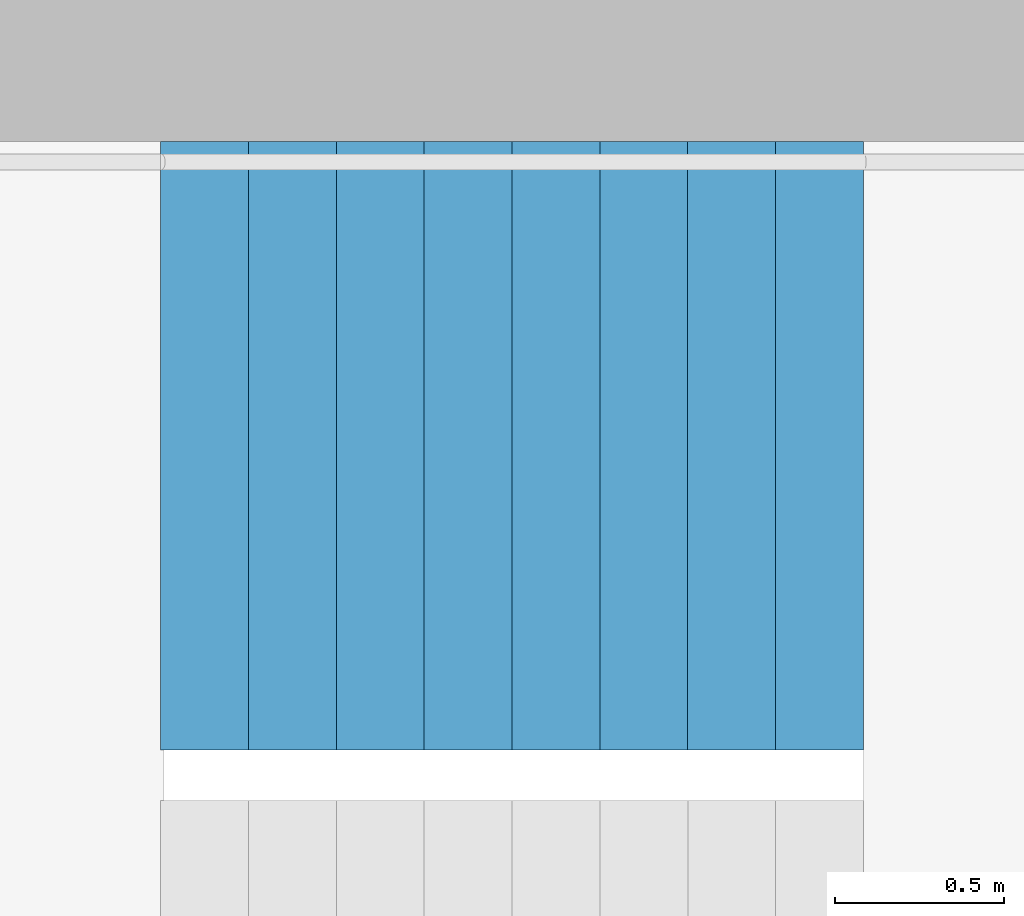
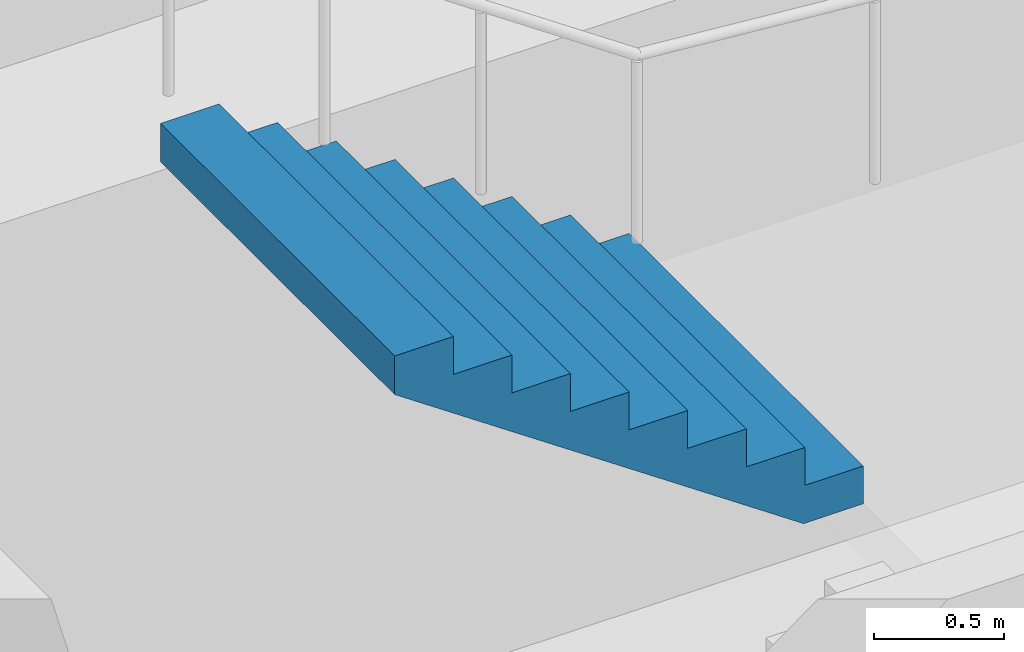
# One storey, part 24 of 29: 1 stair flight, 1 element without a shape of its own.
"""IFC4 building model written with IfcOpenShell, lengths in metres."""

from ifc_helpers import new_model, si_unit, direction, frame, origin, place, context, subcontext, project, spatial, triangles, material, type_object, element, aggregate, save


model = new_model("IFC4")

# Units and contexts
model_context = context("Model", 3, precision=1e-05, world=origin(), true_north=direction((0.0, 1.0)))
body_context = subcontext(model_context, "Body", "Model", "MODEL_VIEW")
ifc_project = project(units=[si_unit("LENGTHUNIT", "METRE"), si_unit("AREAUNIT", "SQUARE_METRE"), si_unit("VOLUMEUNIT", "CUBIC_METRE"), si_unit("PLANEANGLEUNIT", "RADIAN"), si_unit("MASSUNIT", "GRAM", prefix="KILO")], contexts=[model_context])

# Site, building, storey
site_placement = place(None, origin())
site = spatial("IfcSite", under=ifc_project, at=site_placement, CompositionType="ELEMENT")
building_placement = place(site_placement, origin())
building = spatial("IfcBuilding", under=site, at=building_placement, Name="Hakoniwa Tower and Hamabe Station Hall", CompositionType="ELEMENT")
storey_placement = place(building_placement, frame((0.0, 0.0, 55.0)))
storey = spatial("IfcBuildingStorey", under=building, at=storey_placement, Name="L15", CompositionType="ELEMENT", Elevation=55.0)

# Stair, stair flight
ifc_material_1 = material(Name="Concrete C40", Category="concrete")
stair_type = type_object("IfcStairType", Name="ESCAPE STAIR 1800", PredefinedType="HALF_TURN_STAIR", material=ifc_material_1)
stair_placement = place(storey_placement, origin())
stair = element("IfcStair", 1, at=stair_placement, inside=storey, type_object=stair_type, Name="Escape stair ST-1 L15", PredefinedType="HALF_TURN_STAIR")
ifc_material_2 = material(Name="Concrete C40", Category="concrete")
stair_flight_type = type_object("IfcStairFlightType", Name="STAIR FLIGHT 1800", PredefinedType="STRAIGHT", material=ifc_material_2)
stair_flight_placement = place(storey_placement, frame((-22.320068359375, 6.60009765625, 1.60009765625), z_axis=(0.0, 0.0, 1.0), x_axis=(-1.0, 0.0, 0.0)))
stair_flight = element("IfcStairFlight", 2, at=stair_flight_placement, type_object=stair_flight_type, Name="ST-1 flight 2", NumberOfRisers=9, NumberOfTreads=8, PredefinedType="STRAIGHT", RiserHeight=0.177777778, TreadLength=0.26, context=body_context, shape_type="Tessellation", body=[
    triangles([(0.0, 0.89990234375, 0.0), (0.260009765625, 0.89990234375, 0.0), (0.265625, 0.89990234375, 0.0), (0.52001953125, 0.89990234375, 0.174072265625), (0.780029296875, 0.89990234375, 0.351806640625), (1.0400390625, 0.89990234375, 0.529541015625), (1.300048828125, 0.89990234375, 0.707275390625), (1.56005859375, 0.89990234375, 0.885009765625), (1.820068359375, 0.89990234375, 1.062744140625), (2.080078125, 0.89990234375, 1.24072265625), (2.080078125, 0.89990234375, 1.422119140625), (1.820068359375, 0.89990234375, 1.422119140625), (1.820068359375, 0.89990234375, 1.244384765625), (1.56005859375, 0.89990234375, 1.244384765625), (1.56005859375, 0.89990234375, 1.066650390625), (1.300048828125, 0.89990234375, 1.066650390625), (1.300048828125, 0.89990234375, 0.888916015625), (1.0400390625, 0.89990234375, 0.888916015625), (1.0400390625, 0.89990234375, 0.711181640625), (0.780029296875, 0.89990234375, 0.711181640625), (0.780029296875, 0.89990234375, 0.533447265625), (0.52001953125, 0.89990234375, 0.533447265625), (0.52001953125, 0.89990234375, 0.35546875), (0.265625, 0.89990234375, 0.35546875), (0.260009765625, 0.89990234375, 0.35546875), (0.260009765625, 0.89990234375, 0.177734375), (0.0, 0.89990234375, 0.177734375), (0.0, 0.06005859375, 0.0), (0.260009765625, 0.06005859375, 0.0), (0.265625, 0.06005859375, 0.0), (0.52001953125, 0.06005859375, 0.174072265625), (0.780029296875, 0.06005859375, 0.351806640625), (1.0400390625, 0.06005859375, 0.529541015625), (1.300048828125, 0.06005859375, 0.707275390625), (1.56005859375, 0.06005859375, 0.885009765625), (1.820068359375, 0.06005859375, 1.062744140625), (2.080078125, 0.06005859375, 1.24072265625), (2.080078125, 0.06005859375, 1.422119140625), (1.820068359375, 0.06005859375, 1.422119140625), (1.820068359375, 0.06005859375, 1.244384765625), (1.56005859375, 0.06005859375, 1.244384765625), (1.56005859375, 0.06005859375, 1.066650390625), (1.300048828125, 0.06005859375, 1.066650390625), (1.300048828125, 0.06005859375, 0.888916015625), (1.0400390625, 0.06005859375, 0.888916015625), (1.0400390625, 0.06005859375, 0.711181640625), (0.780029296875, 0.06005859375, 0.711181640625), (0.780029296875, 0.06005859375, 0.533447265625), (0.52001953125, 0.06005859375, 0.533447265625), (0.52001953125, 0.06005859375, 0.35546875), (0.265625, 0.06005859375, 0.35546875), (0.260009765625, 0.06005859375, 0.35546875), (0.260009765625, 0.06005859375, 0.177734375), (0.0, 0.06005859375, 0.177734375), (0.0, 0.04296875, 0.0), (0.260009765625, 0.04296875, 0.0), (0.265625, 0.04296875, 0.0), (0.52001953125, 0.04296875, 0.174072265625), (0.780029296875, 0.04296875, 0.351806640625), (1.0400390625, 0.04296875, 0.529541015625), (1.300048828125, 0.04296875, 0.707275390625), (1.56005859375, 0.04296875, 0.885009765625), (1.820068359375, 0.04296875, 1.062744140625), (2.080078125, 0.04296875, 1.24072265625), (2.080078125, 0.04296875, 1.422119140625), (1.820068359375, 0.04296875, 1.422119140625), (1.820068359375, 0.04296875, 1.244384765625), (1.56005859375, 0.04296875, 1.244384765625), (1.56005859375, 0.04296875, 1.066650390625), (1.300048828125, 0.04296875, 1.066650390625), (1.300048828125, 0.04296875, 0.888916015625), (1.0400390625, 0.04296875, 0.888916015625), (1.0400390625, 0.04296875, 0.711181640625), (0.780029296875, 0.04296875, 0.711181640625), (0.780029296875, 0.04296875, 0.533447265625), (0.52001953125, 0.04296875, 0.533447265625), (0.52001953125, 0.04296875, 0.35546875), (0.265625, 0.04296875, 0.35546875), (0.260009765625, 0.04296875, 0.35546875), (0.260009765625, 0.04296875, 0.177734375), (0.0, 0.04296875, 0.177734375), (0.0, 0.025634765625, 0.0), (0.260009765625, 0.025634765625, 0.0), (0.265625, 0.025634765625, 0.0), (0.52001953125, 0.025634765625, 0.174072265625), (0.780029296875, 0.025634765625, 0.351806640625), (1.0400390625, 0.025634765625, 0.529541015625), (1.300048828125, 0.025634765625, 0.707275390625), (1.56005859375, 0.025634765625, 0.885009765625), (1.820068359375, 0.025634765625, 1.062744140625), (2.080078125, 0.025634765625, 1.24072265625), (2.080078125, 0.025634765625, 1.422119140625), (1.820068359375, 0.025634765625, 1.422119140625), (1.820068359375, 0.025634765625, 1.244384765625), (1.56005859375, 0.025634765625, 1.244384765625), (1.56005859375, 0.025634765625, 1.066650390625), (1.300048828125, 0.025634765625, 1.066650390625), (1.300048828125, 0.025634765625, 0.888916015625), (1.0400390625, 0.025634765625, 0.888916015625), (1.0400390625, 0.025634765625, 0.711181640625), (0.780029296875, 0.025634765625, 0.711181640625), (0.780029296875, 0.025634765625, 0.533447265625), (0.52001953125, 0.025634765625, 0.533447265625), (0.52001953125, 0.025634765625, 0.35546875), (0.265625, 0.025634765625, 0.35546875), (0.260009765625, 0.025634765625, 0.35546875), (0.260009765625, 0.025634765625, 0.177734375), (0.0, 0.025634765625, 0.177734375), (0.0, 0.008544921875, 0.0), (0.260009765625, 0.008544921875, 0.0), (0.265625, 0.008544921875, 0.0), (0.52001953125, 0.008544921875, 0.174072265625), (0.780029296875, 0.008544921875, 0.351806640625), (1.0400390625, 0.008544921875, 0.529541015625), (1.300048828125, 0.008544921875, 0.707275390625), (1.56005859375, 0.008544921875, 0.885009765625), (1.820068359375, 0.008544921875, 1.062744140625), (2.080078125, 0.008544921875, 1.24072265625), (2.080078125, 0.008544921875, 1.422119140625), (1.820068359375, 0.008544921875, 1.422119140625), (1.820068359375, 0.008544921875, 1.244384765625), (1.56005859375, 0.008544921875, 1.244384765625), (1.56005859375, 0.008544921875, 1.066650390625), (1.300048828125, 0.008544921875, 1.066650390625), (1.300048828125, 0.008544921875, 0.888916015625), (1.0400390625, 0.008544921875, 0.888916015625), (1.0400390625, 0.008544921875, 0.711181640625), (0.780029296875, 0.008544921875, 0.711181640625), (0.780029296875, 0.008544921875, 0.533447265625), (0.52001953125, 0.008544921875, 0.533447265625), (0.52001953125, 0.008544921875, 0.35546875), (0.265625, 0.008544921875, 0.35546875), (0.260009765625, 0.008544921875, 0.35546875), (0.260009765625, 0.008544921875, 0.177734375), (0.0, 0.008544921875, 0.177734375), (0.0, -0.008544921875, 0.0), (0.260009765625, -0.008544921875, 0.0), (0.265625, -0.008544921875, 0.0), (0.52001953125, -0.008544921875, 0.174072265625), (0.780029296875, -0.008544921875, 0.351806640625), (1.0400390625, -0.008544921875, 0.529541015625), (1.300048828125, -0.008544921875, 0.707275390625), (1.56005859375, -0.008544921875, 0.885009765625), (1.820068359375, -0.008544921875, 1.062744140625), (2.080078125, -0.008544921875, 1.24072265625), (2.080078125, -0.008544921875, 1.422119140625), (1.820068359375, -0.008544921875, 1.422119140625), (1.820068359375, -0.008544921875, 1.244384765625), (1.56005859375, -0.008544921875, 1.244384765625), (1.56005859375, -0.008544921875, 1.066650390625), (1.300048828125, -0.008544921875, 1.066650390625), (1.300048828125, -0.008544921875, 0.888916015625), (1.0400390625, -0.008544921875, 0.888916015625), (1.0400390625, -0.008544921875, 0.711181640625), (0.780029296875, -0.008544921875, 0.711181640625), (0.780029296875, -0.008544921875, 0.533447265625), (0.52001953125, -0.008544921875, 0.533447265625), (0.52001953125, -0.008544921875, 0.35546875), (0.265625, -0.008544921875, 0.35546875), (0.260009765625, -0.008544921875, 0.35546875), (0.260009765625, -0.008544921875, 0.177734375), (0.0, -0.008544921875, 0.177734375), (0.0, -0.025634765625, 0.0), (0.260009765625, -0.025634765625, 0.0), (0.265625, -0.025634765625, 0.0), (0.52001953125, -0.025634765625, 0.174072265625), (0.780029296875, -0.025634765625, 0.351806640625), (1.0400390625, -0.025634765625, 0.529541015625), (1.300048828125, -0.025634765625, 0.707275390625), (1.56005859375, -0.025634765625, 0.885009765625), (1.820068359375, -0.025634765625, 1.062744140625), (2.080078125, -0.025634765625, 1.24072265625), (2.080078125, -0.025634765625, 1.422119140625), (1.820068359375, -0.025634765625, 1.422119140625), (1.820068359375, -0.025634765625, 1.244384765625), (1.56005859375, -0.025634765625, 1.244384765625), (1.56005859375, -0.025634765625, 1.066650390625), (1.300048828125, -0.025634765625, 1.066650390625), (1.300048828125, -0.025634765625, 0.888916015625), (1.0400390625, -0.025634765625, 0.888916015625), (1.0400390625, -0.025634765625, 0.711181640625), (0.780029296875, -0.025634765625, 0.711181640625), (0.780029296875, -0.025634765625, 0.533447265625), (0.52001953125, -0.025634765625, 0.533447265625), (0.52001953125, -0.025634765625, 0.35546875), (0.265625, -0.025634765625, 0.35546875), (0.260009765625, -0.025634765625, 0.35546875), (0.260009765625, -0.025634765625, 0.177734375), (0.0, -0.025634765625, 0.177734375), (0.0, -0.04296875, 0.0), (0.260009765625, -0.04296875, 0.0), (0.265625, -0.04296875, 0.0), (0.52001953125, -0.04296875, 0.174072265625), (0.780029296875, -0.04296875, 0.351806640625), (1.0400390625, -0.04296875, 0.529541015625), (1.300048828125, -0.04296875, 0.707275390625), (1.56005859375, -0.04296875, 0.885009765625), (1.820068359375, -0.04296875, 1.062744140625), (2.080078125, -0.04296875, 1.24072265625), (2.080078125, -0.04296875, 1.422119140625), (1.820068359375, -0.04296875, 1.422119140625), (1.820068359375, -0.04296875, 1.244384765625), (1.56005859375, -0.04296875, 1.244384765625), (1.56005859375, -0.04296875, 1.066650390625), (1.300048828125, -0.04296875, 1.066650390625), (1.300048828125, -0.04296875, 0.888916015625), (1.0400390625, -0.04296875, 0.888916015625), (1.0400390625, -0.04296875, 0.711181640625), (0.780029296875, -0.04296875, 0.711181640625), (0.780029296875, -0.04296875, 0.533447265625), (0.52001953125, -0.04296875, 0.533447265625), (0.52001953125, -0.04296875, 0.35546875), (0.265625, -0.04296875, 0.35546875), (0.260009765625, -0.04296875, 0.35546875), (0.260009765625, -0.04296875, 0.177734375), (0.0, -0.04296875, 0.177734375), (0.0, -0.06005859375, 0.0), (0.260009765625, -0.06005859375, 0.0), (0.265625, -0.06005859375, 0.0), (0.52001953125, -0.06005859375, 0.174072265625), (0.780029296875, -0.06005859375, 0.351806640625), (1.0400390625, -0.06005859375, 0.529541015625), (1.300048828125, -0.06005859375, 0.707275390625), (1.56005859375, -0.06005859375, 0.885009765625), (1.820068359375, -0.06005859375, 1.062744140625), (2.080078125, -0.06005859375, 1.24072265625), (2.080078125, -0.06005859375, 1.422119140625), (1.820068359375, -0.06005859375, 1.422119140625), (1.820068359375, -0.06005859375, 1.244384765625), (1.56005859375, -0.06005859375, 1.244384765625), (1.56005859375, -0.06005859375, 1.066650390625), (1.300048828125, -0.06005859375, 1.066650390625), (1.300048828125, -0.06005859375, 0.888916015625), (1.0400390625, -0.06005859375, 0.888916015625), (1.0400390625, -0.06005859375, 0.711181640625), (0.780029296875, -0.06005859375, 0.711181640625), (0.780029296875, -0.06005859375, 0.533447265625), (0.52001953125, -0.06005859375, 0.533447265625), (0.52001953125, -0.06005859375, 0.35546875), (0.265625, -0.06005859375, 0.35546875), (0.260009765625, -0.06005859375, 0.35546875), (0.260009765625, -0.06005859375, 0.177734375), (0.0, -0.06005859375, 0.177734375), (0.0, -0.89990234375, 0.0), (0.260009765625, -0.89990234375, 0.0), (0.265625, -0.89990234375, 0.0), (0.52001953125, -0.89990234375, 0.174072265625), (0.780029296875, -0.89990234375, 0.351806640625), (1.0400390625, -0.89990234375, 0.529541015625), (1.300048828125, -0.89990234375, 0.707275390625), (1.56005859375, -0.89990234375, 0.885009765625), (1.820068359375, -0.89990234375, 1.062744140625), (2.080078125, -0.89990234375, 1.24072265625), (2.080078125, -0.89990234375, 1.422119140625), (1.820068359375, -0.89990234375, 1.422119140625), (1.820068359375, -0.89990234375, 1.244384765625), (1.56005859375, -0.89990234375, 1.244384765625), (1.56005859375, -0.89990234375, 1.066650390625), (1.300048828125, -0.89990234375, 1.066650390625), (1.300048828125, -0.89990234375, 0.888916015625), (1.0400390625, -0.89990234375, 0.888916015625), (1.0400390625, -0.89990234375, 0.711181640625), (0.780029296875, -0.89990234375, 0.711181640625), (0.780029296875, -0.89990234375, 0.533447265625), (0.52001953125, -0.89990234375, 0.533447265625), (0.52001953125, -0.89990234375, 0.35546875), (0.265625, -0.89990234375, 0.35546875), (0.260009765625, -0.89990234375, 0.35546875), (0.260009765625, -0.89990234375, 0.177734375), (0.0, -0.89990234375, 0.177734375)], [[2, 27, 26], [245, 269, 270], [2, 1, 27], [245, 270, 244], [3, 25, 24], [246, 267, 268], [3, 26, 25], [246, 268, 269], [3, 2, 26], [246, 269, 245], [4, 24, 23], [247, 266, 267], [4, 3, 24], [247, 267, 246], [5, 22, 21], [248, 264, 265], [5, 23, 22], [248, 265, 266], [5, 4, 23], [248, 266, 247], [6, 20, 19], [249, 262, 263], [6, 21, 20], [249, 263, 264], [6, 5, 21], [249, 264, 248], [7, 18, 17], [250, 260, 261], [7, 19, 18], [250, 261, 262], [7, 6, 19], [250, 262, 249], [8, 16, 15], [251, 258, 259], [8, 17, 16], [251, 259, 260], [8, 7, 17], [251, 260, 250], [9, 14, 13], [252, 256, 257], [9, 15, 14], [252, 257, 258], [9, 8, 15], [252, 258, 251], [10, 12, 11], [253, 254, 255], [10, 13, 12], [253, 255, 256], [10, 9, 13], [253, 256, 252], [1, 2, 29], [1, 29, 28], [28, 29, 56], [28, 56, 55], [55, 56, 83], [55, 83, 82], [82, 83, 110], [82, 110, 109], [109, 110, 137], [109, 137, 136], [136, 137, 164], [136, 164, 163], [163, 164, 191], [163, 191, 190], [190, 191, 218], [190, 218, 217], [217, 218, 245], [217, 245, 244], [2, 3, 30], [2, 30, 29], [29, 30, 57], [29, 57, 56], [56, 57, 84], [56, 84, 83], [83, 84, 111], [83, 111, 110], [110, 111, 138], [110, 138, 137], [137, 138, 165], [137, 165, 164], [164, 165, 192], [164, 192, 191], [191, 192, 219], [191, 219, 218], [218, 219, 246], [218, 246, 245], [3, 4, 31], [3, 31, 30], [30, 31, 58], [30, 58, 57], [57, 58, 85], [57, 85, 84], [84, 85, 112], [84, 112, 111], [111, 112, 139], [111, 139, 138], [138, 139, 166], [138, 166, 165], [165, 166, 193], [165, 193, 192], [192, 193, 220], [192, 220, 219], [219, 220, 247], [219, 247, 246], [4, 5, 32], [4, 32, 31], [31, 32, 59], [31, 59, 58], [58, 59, 86], [58, 86, 85], [85, 86, 113], [85, 113, 112], [112, 113, 140], [112, 140, 139], [139, 140, 167], [139, 167, 166], [166, 167, 194], [166, 194, 193], [193, 194, 221], [193, 221, 220], [220, 221, 248], [220, 248, 247], [5, 6, 33], [5, 33, 32], [32, 33, 60], [32, 60, 59], [59, 60, 87], [59, 87, 86], [86, 87, 114], [86, 114, 113], [113, 114, 141], [113, 141, 140], [140, 141, 168], [140, 168, 167], [167, 168, 195], [167, 195, 194], [194, 195, 222], [194, 222, 221], [221, 222, 249], [221, 249, 248], [6, 7, 34], [6, 34, 33], [33, 34, 61], [33, 61, 60], [60, 61, 88], [60, 88, 87], [87, 88, 115], [87, 115, 114], [114, 115, 142], [114, 142, 141], [141, 142, 169], [141, 169, 168], [168, 169, 196], [168, 196, 195], [195, 196, 223], [195, 223, 222], [222, 223, 250], [222, 250, 249], [7, 8, 35], [7, 35, 34], [34, 35, 62], [34, 62, 61], [61, 62, 89], [61, 89, 88], [88, 89, 116], [88, 116, 115], [115, 116, 143], [115, 143, 142], [142, 143, 170], [142, 170, 169], [169, 170, 197], [169, 197, 196], [196, 197, 224], [196, 224, 223], [223, 224, 251], [223, 251, 250], [8, 9, 36], [8, 36, 35], [35, 36, 63], [35, 63, 62], [62, 63, 90], [62, 90, 89], [89, 90, 117], [89, 117, 116], [116, 117, 144], [116, 144, 143], [143, 144, 171], [143, 171, 170], [170, 171, 198], [170, 198, 197], [197, 198, 225], [197, 225, 224], [224, 225, 252], [224, 252, 251], [9, 10, 37], [9, 37, 36], [36, 37, 64], [36, 64, 63], [63, 64, 91], [63, 91, 90], [90, 91, 118], [90, 118, 117], [117, 118, 145], [117, 145, 144], [144, 145, 172], [144, 172, 171], [171, 172, 199], [171, 199, 198], [198, 199, 226], [198, 226, 225], [225, 226, 253], [225, 253, 252], [10, 11, 38], [10, 38, 37], [37, 38, 65], [37, 65, 64], [64, 65, 92], [64, 92, 91], [91, 92, 119], [91, 119, 118], [118, 119, 146], [118, 146, 145], [145, 146, 173], [145, 173, 172], [172, 173, 200], [172, 200, 199], [199, 200, 227], [199, 227, 226], [226, 227, 254], [226, 254, 253], [11, 12, 39], [11, 39, 38], [38, 39, 66], [38, 66, 65], [65, 66, 93], [65, 93, 92], [92, 93, 120], [92, 120, 119], [119, 120, 147], [119, 147, 146], [146, 147, 174], [146, 174, 173], [173, 174, 201], [173, 201, 200], [200, 201, 228], [200, 228, 227], [227, 228, 255], [227, 255, 254], [12, 13, 40], [12, 40, 39], [39, 40, 67], [39, 67, 66], [66, 67, 94], [66, 94, 93], [93, 94, 121], [93, 121, 120], [120, 121, 148], [120, 148, 147], [147, 148, 175], [147, 175, 174], [174, 175, 202], [174, 202, 201], [201, 202, 229], [201, 229, 228], [228, 229, 256], [228, 256, 255], [13, 14, 41], [13, 41, 40], [40, 41, 68], [40, 68, 67], [67, 68, 95], [67, 95, 94], [94, 95, 122], [94, 122, 121], [121, 122, 149], [121, 149, 148], [148, 149, 176], [148, 176, 175], [175, 176, 203], [175, 203, 202], [202, 203, 230], [202, 230, 229], [229, 230, 257], [229, 257, 256], [14, 15, 42], [14, 42, 41], [41, 42, 69], [41, 69, 68], [68, 69, 96], [68, 96, 95], [95, 96, 123], [95, 123, 122], [122, 123, 150], [122, 150, 149], [149, 150, 177], [149, 177, 176], [176, 177, 204], [176, 204, 203], [203, 204, 231], [203, 231, 230], [230, 231, 258], [230, 258, 257], [15, 16, 43], [15, 43, 42], [42, 43, 70], [42, 70, 69], [69, 70, 97], [69, 97, 96], [96, 97, 124], [96, 124, 123], [123, 124, 151], [123, 151, 150], [150, 151, 178], [150, 178, 177], [177, 178, 205], [177, 205, 204], [204, 205, 232], [204, 232, 231], [231, 232, 259], [231, 259, 258], [16, 17, 44], [16, 44, 43], [43, 44, 71], [43, 71, 70], [70, 71, 98], [70, 98, 97], [97, 98, 125], [97, 125, 124], [124, 125, 152], [124, 152, 151], [151, 152, 179], [151, 179, 178], [178, 179, 206], [178, 206, 205], [205, 206, 233], [205, 233, 232], [232, 233, 260], [232, 260, 259], [17, 18, 45], [17, 45, 44], [44, 45, 72], [44, 72, 71], [71, 72, 99], [71, 99, 98], [98, 99, 126], [98, 126, 125], [125, 126, 153], [125, 153, 152], [152, 153, 180], [152, 180, 179], [179, 180, 207], [179, 207, 206], [206, 207, 234], [206, 234, 233], [233, 234, 261], [233, 261, 260], [18, 19, 46], [18, 46, 45], [45, 46, 73], [45, 73, 72], [72, 73, 100], [72, 100, 99], [99, 100, 127], [99, 127, 126], [126, 127, 154], [126, 154, 153], [153, 154, 181], [153, 181, 180], [180, 181, 208], [180, 208, 207], [207, 208, 235], [207, 235, 234], [234, 235, 262], [234, 262, 261], [19, 20, 47], [19, 47, 46], [46, 47, 74], [46, 74, 73], [73, 74, 101], [73, 101, 100], [100, 101, 128], [100, 128, 127], [127, 128, 155], [127, 155, 154], [154, 155, 182], [154, 182, 181], [181, 182, 209], [181, 209, 208], [208, 209, 236], [208, 236, 235], [235, 236, 263], [235, 263, 262], [20, 21, 48], [20, 48, 47], [47, 48, 75], [47, 75, 74], [74, 75, 102], [74, 102, 101], [101, 102, 129], [101, 129, 128], [128, 129, 156], [128, 156, 155], [155, 156, 183], [155, 183, 182], [182, 183, 210], [182, 210, 209], [209, 210, 237], [209, 237, 236], [236, 237, 264], [236, 264, 263], [21, 22, 49], [21, 49, 48], [48, 49, 76], [48, 76, 75], [75, 76, 103], [75, 103, 102], [102, 103, 130], [102, 130, 129], [129, 130, 157], [129, 157, 156], [156, 157, 184], [156, 184, 183], [183, 184, 211], [183, 211, 210], [210, 211, 238], [210, 238, 237], [237, 238, 265], [237, 265, 264], [22, 23, 50], [22, 50, 49], [49, 50, 77], [49, 77, 76], [76, 77, 104], [76, 104, 103], [103, 104, 131], [103, 131, 130], [130, 131, 158], [130, 158, 157], [157, 158, 185], [157, 185, 184], [184, 185, 212], [184, 212, 211], [211, 212, 239], [211, 239, 238], [238, 239, 266], [238, 266, 265], [23, 24, 51], [23, 51, 50], [50, 51, 78], [50, 78, 77], [77, 78, 105], [77, 105, 104], [104, 105, 132], [104, 132, 131], [131, 132, 159], [131, 159, 158], [158, 159, 186], [158, 186, 185], [185, 186, 213], [185, 213, 212], [212, 213, 240], [212, 240, 239], [239, 240, 267], [239, 267, 266], [24, 25, 52], [24, 52, 51], [51, 52, 79], [51, 79, 78], [78, 79, 106], [78, 106, 105], [105, 106, 133], [105, 133, 132], [132, 133, 160], [132, 160, 159], [159, 160, 187], [159, 187, 186], [186, 187, 214], [186, 214, 213], [213, 214, 241], [213, 241, 240], [240, 241, 268], [240, 268, 267], [25, 26, 53], [25, 53, 52], [52, 53, 80], [52, 80, 79], [79, 80, 107], [79, 107, 106], [106, 107, 134], [106, 134, 133], [133, 134, 161], [133, 161, 160], [160, 161, 188], [160, 188, 187], [187, 188, 215], [187, 215, 214], [214, 215, 242], [214, 242, 241], [241, 242, 269], [241, 269, 268], [26, 27, 54], [26, 54, 53], [53, 54, 81], [53, 81, 80], [80, 81, 108], [80, 108, 107], [107, 108, 135], [107, 135, 134], [134, 135, 162], [134, 162, 161], [161, 162, 189], [161, 189, 188], [188, 189, 216], [188, 216, 215], [215, 216, 243], [215, 243, 242], [242, 243, 270], [242, 270, 269], [27, 1, 28], [27, 28, 54], [54, 28, 55], [54, 55, 81], [81, 55, 82], [81, 82, 108], [108, 82, 109], [108, 109, 135], [135, 109, 136], [135, 136, 162], [162, 136, 163], [162, 163, 189], [189, 163, 190], [189, 190, 216], [216, 190, 217], [216, 217, 243], [243, 217, 244], [243, 244, 270]], closed=True),
])
aggregate(stair, [stair_flight])

save(model, "model.ifc")
